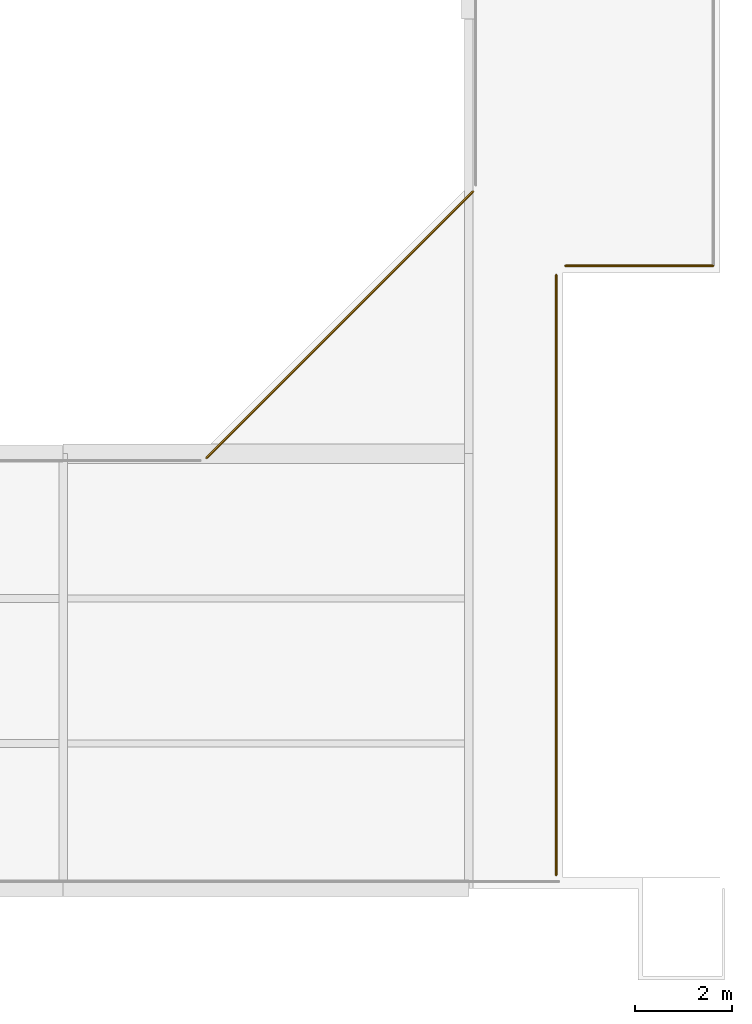
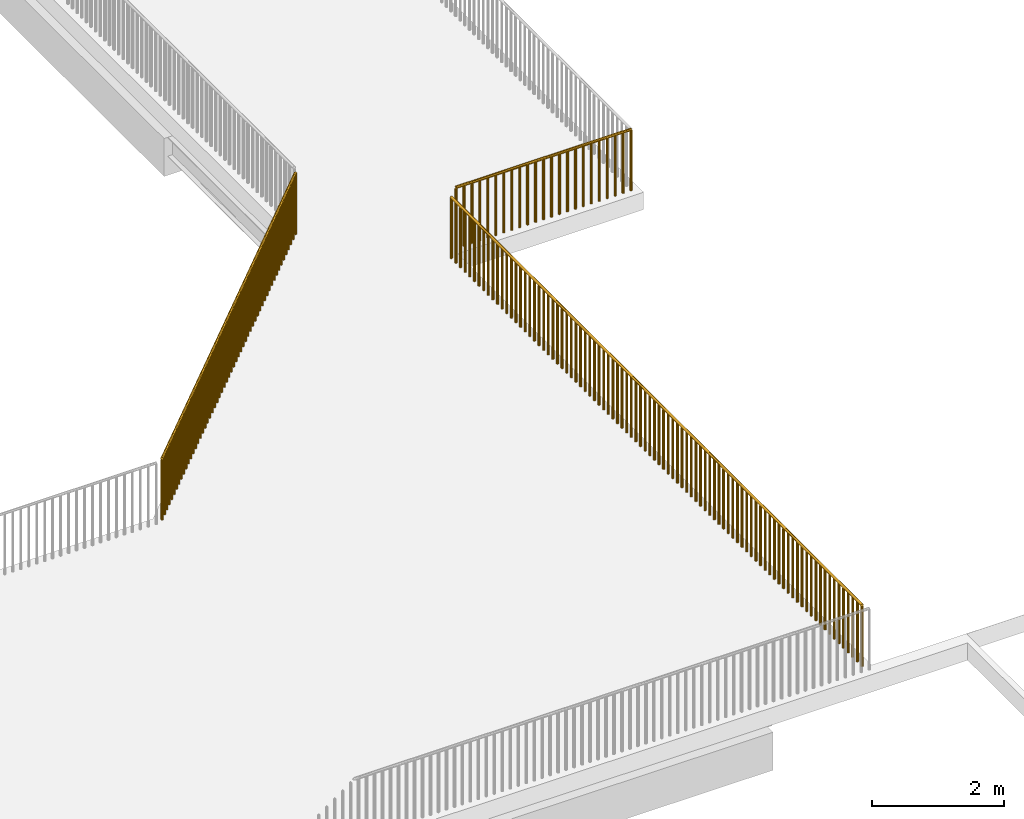
# One storey, part 38 of 42: 3 railings.
"""IFC4 building model written with IfcOpenShell, lengths in metres."""

from ifc_helpers import new_model, si_unit, direction, frame, origin, origin_2d, place, context, subcontext, project, spatial, circle, extrude, material, type_object, element, save


model = new_model("IFC4")

# Units and contexts
model_context = context("Model", 3, precision=1e-05, world=origin(), true_north=direction((0.0, 1.0)))
body_context = subcontext(model_context, "Body", "Model", "MODEL_VIEW")
ifc_project = project(units=[si_unit("LENGTHUNIT", "METRE"), si_unit("AREAUNIT", "SQUARE_METRE"), si_unit("VOLUMEUNIT", "CUBIC_METRE"), si_unit("PLANEANGLEUNIT", "RADIAN"), si_unit("MASSUNIT", "GRAM", prefix="KILO")], contexts=[model_context])

# Site, building, storey
site_placement = place(None, origin())
site = spatial("IfcSite", under=ifc_project, at=site_placement, CompositionType="ELEMENT")
building_placement = place(site_placement, origin())
building = spatial("IfcBuilding", under=site, at=building_placement, Name="Vanh Quang Courtyard School", CompositionType="ELEMENT")
storey_placement = place(building_placement, frame((0.0, 0.0, 15.0)))
storey = spatial("IfcBuildingStorey", under=building, at=storey_placement, Name="L04", CompositionType="ELEMENT", Elevation=15.0)

# Railings
ifc_material = material(Name="Galvanised painted steel EN 10025-2 S355J2", Category="steel")
railing_type = type_object("IfcRailingType", Name="RAIL-GUARD-1150", PredefinedType="BALUSTRADE", material=ifc_material)
railing_1_placement = place(storey_placement, frame((105.569580078125, 41.315673828125, 0.0)))
element("IfcRailing", 1, at=railing_1_placement, inside=storey, type_object=railing_type, Name="Railing GR-01 (L04)", PredefinedType="BALUSTRADE", context=body_context, shape_type="SweptSolid", body=[
    extrude(circle(Radius=0.02392578125, at=origin_2d()), frame((0.0, 0.0, 1.1259765625), z_axis=(0.707122432933, 0.707091129094, 0.0), x_axis=(-0.707091129094, 0.707122432933, 0.0)), (0.0, 0.0, 1.0), 7.799072265625),
    extrude(circle(Radius=0.02099609375, at=origin_2d()), origin(), (0.0, 0.0, 1.0), 1.101806640625),
    extrude(circle(Radius=0.02099609375, at=origin_2d()), frame((0.098388671875, 0.098388671875, 0.0)), (0.0, 0.0, 1.0), 1.101806640625),
    extrude(circle(Radius=0.02099609375, at=origin_2d()), frame((0.197021484375, 0.197021484375, 0.0)), (0.0, 0.0, 1.0), 1.101806640625),
    extrude(circle(Radius=0.02099609375, at=origin_2d()), frame((0.29541015625, 0.29541015625, 0.0)), (0.0, 0.0, 1.0), 1.101806640625),
    extrude(circle(Radius=0.02099609375, at=origin_2d()), frame((0.39404296875, 0.393798828125, 0.0)), (0.0, 0.0, 1.0), 1.101806640625),
    extrude(circle(Radius=0.02099609375, at=origin_2d()), frame((0.492431640625, 0.492431640625, 0.0)), (0.0, 0.0, 1.0), 1.101806640625),
    extrude(circle(Radius=0.02099609375, at=origin_2d()), frame((0.5908203125, 0.5908203125, 0.0)), (0.0, 0.0, 1.0), 1.101806640625),
    extrude(circle(Radius=0.02099609375, at=origin_2d()), frame((0.689453125, 0.689453125, 0.0)), (0.0, 0.0, 1.0), 1.101806640625),
    extrude(circle(Radius=0.02099609375, at=origin_2d()), frame((0.787841796875, 0.787841796875, 0.0)), (0.0, 0.0, 1.0), 1.101806640625),
    extrude(circle(Radius=0.02099609375, at=origin_2d()), frame((0.88623046875, 0.88623046875, 0.0)), (0.0, 0.0, 1.0), 1.101806640625),
    extrude(circle(Radius=0.02099609375, at=origin_2d()), frame((0.98486328125, 0.98486328125, 0.0)), (0.0, 0.0, 1.0), 1.101806640625),
    extrude(circle(Radius=0.02099609375, at=origin_2d()), frame((1.083251953125, 1.083251953125, 0.0)), (0.0, 0.0, 1.0), 1.101806640625),
    extrude(circle(Radius=0.02099609375, at=origin_2d()), frame((1.181640625, 1.181640625, 0.0)), (0.0, 0.0, 1.0), 1.101806640625),
    extrude(circle(Radius=0.02099609375, at=origin_2d()), frame((1.2802734375, 1.2802734375, 0.0)), (0.0, 0.0, 1.0), 1.101806640625),
    extrude(circle(Radius=0.02099609375, at=origin_2d()), frame((1.378662109375, 1.378662109375, 0.0)), (0.0, 0.0, 1.0), 1.101806640625),
    extrude(circle(Radius=0.02099609375, at=origin_2d()), frame((1.477294921875, 1.47705078125, 0.0)), (0.0, 0.0, 1.0), 1.101806640625),
    extrude(circle(Radius=0.02099609375, at=origin_2d()), frame((1.57568359375, 1.57568359375, 0.0)), (0.0, 0.0, 1.0), 1.101806640625),
    extrude(circle(Radius=0.02099609375, at=origin_2d()), frame((1.674072265625, 1.674072265625, 0.0)), (0.0, 0.0, 1.0), 1.101806640625),
    extrude(circle(Radius=0.02099609375, at=origin_2d()), frame((1.772705078125, 1.7724609375, 0.0)), (0.0, 0.0, 1.0), 1.101806640625),
    extrude(circle(Radius=0.02099609375, at=origin_2d()), frame((1.87109375, 1.87109375, 0.0)), (0.0, 0.0, 1.0), 1.101806640625),
    extrude(circle(Radius=0.02099609375, at=origin_2d()), frame((1.9697265625, 1.969482421875, 0.0)), (0.0, 0.0, 1.0), 1.101806640625),
    extrude(circle(Radius=0.02099609375, at=origin_2d()), frame((2.068115234375, 2.06787109375, 0.0)), (0.0, 0.0, 1.0), 1.101806640625),
    extrude(circle(Radius=0.02099609375, at=origin_2d()), frame((2.16650390625, 2.16650390625, 0.0)), (0.0, 0.0, 1.0), 1.101806640625),
    extrude(circle(Radius=0.02099609375, at=origin_2d()), frame((2.26513671875, 2.264892578125, 0.0)), (0.0, 0.0, 1.0), 1.101806640625),
    extrude(circle(Radius=0.02099609375, at=origin_2d()), frame((2.363525390625, 2.363525390625, 0.0)), (0.0, 0.0, 1.0), 1.101806640625),
    extrude(circle(Radius=0.02099609375, at=origin_2d()), frame((2.4619140625, 2.4619140625, 0.0)), (0.0, 0.0, 1.0), 1.101806640625),
    extrude(circle(Radius=0.02099609375, at=origin_2d()), frame((2.560546875, 2.560302734375, 0.0)), (0.0, 0.0, 1.0), 1.101806640625),
    extrude(circle(Radius=0.02099609375, at=origin_2d()), frame((2.658935546875, 2.658935546875, 0.0)), (0.0, 0.0, 1.0), 1.101806640625),
    extrude(circle(Radius=0.02099609375, at=origin_2d()), frame((2.75732421875, 2.75732421875, 0.0)), (0.0, 0.0, 1.0), 1.101806640625),
    extrude(circle(Radius=0.02099609375, at=origin_2d()), frame((2.85595703125, 2.855712890625, 0.0)), (0.0, 0.0, 1.0), 1.101806640625),
    extrude(circle(Radius=0.02099609375, at=origin_2d()), frame((2.954345703125, 2.954345703125, 0.0)), (0.0, 0.0, 1.0), 1.101806640625),
    extrude(circle(Radius=0.02099609375, at=origin_2d()), frame((3.052978515625, 3.052734375, 0.0)), (0.0, 0.0, 1.0), 1.101806640625),
    extrude(circle(Radius=0.02099609375, at=origin_2d()), frame((3.1513671875, 3.151123046875, 0.0)), (0.0, 0.0, 1.0), 1.101806640625),
    extrude(circle(Radius=0.02099609375, at=origin_2d()), frame((3.249755859375, 3.249755859375, 0.0)), (0.0, 0.0, 1.0), 1.101806640625),
    extrude(circle(Radius=0.02099609375, at=origin_2d()), frame((3.348388671875, 3.34814453125, 0.0)), (0.0, 0.0, 1.0), 1.101806640625),
    extrude(circle(Radius=0.02099609375, at=origin_2d()), frame((3.44677734375, 3.44677734375, 0.0)), (0.0, 0.0, 1.0), 1.101806640625),
    extrude(circle(Radius=0.02099609375, at=origin_2d()), frame((3.54541015625, 3.545166015625, 0.0)), (0.0, 0.0, 1.0), 1.101806640625),
    extrude(circle(Radius=0.02099609375, at=origin_2d()), frame((3.643798828125, 3.6435546875, 0.0)), (0.0, 0.0, 1.0), 1.101806640625),
    extrude(circle(Radius=0.02099609375, at=origin_2d()), frame((3.7421875, 3.7421875, 0.0)), (0.0, 0.0, 1.0), 1.101806640625),
    extrude(circle(Radius=0.02099609375, at=origin_2d()), frame((3.8408203125, 3.840576171875, 0.0)), (0.0, 0.0, 1.0), 1.101806640625),
    extrude(circle(Radius=0.02099609375, at=origin_2d()), frame((3.939208984375, 3.93896484375, 0.0)), (0.0, 0.0, 1.0), 1.101806640625),
    extrude(circle(Radius=0.02099609375, at=origin_2d()), frame((4.03759765625, 4.03759765625, 0.0)), (0.0, 0.0, 1.0), 1.101806640625),
    extrude(circle(Radius=0.02099609375, at=origin_2d()), frame((4.13623046875, 4.135986328125, 0.0)), (0.0, 0.0, 1.0), 1.101806640625),
    extrude(circle(Radius=0.02099609375, at=origin_2d()), frame((4.234619140625, 4.234375, 0.0)), (0.0, 0.0, 1.0), 1.101806640625),
    extrude(circle(Radius=0.02099609375, at=origin_2d()), frame((4.3330078125, 4.3330078125, 0.0)), (0.0, 0.0, 1.0), 1.101806640625),
    extrude(circle(Radius=0.02099609375, at=origin_2d()), frame((4.431640625, 4.431396484375, 0.0)), (0.0, 0.0, 1.0), 1.101806640625),
    extrude(circle(Radius=0.02099609375, at=origin_2d()), frame((4.530029296875, 4.52978515625, 0.0)), (0.0, 0.0, 1.0), 1.101806640625),
    extrude(circle(Radius=0.02099609375, at=origin_2d()), frame((4.628662109375, 4.62841796875, 0.0)), (0.0, 0.0, 1.0), 1.101806640625),
    extrude(circle(Radius=0.02099609375, at=origin_2d()), frame((4.72705078125, 4.726806640625, 0.0)), (0.0, 0.0, 1.0), 1.101806640625),
    extrude(circle(Radius=0.02099609375, at=origin_2d()), frame((4.825439453125, 4.8251953125, 0.0)), (0.0, 0.0, 1.0), 1.101806640625),
    extrude(circle(Radius=0.02099609375, at=origin_2d()), frame((4.924072265625, 4.923828125, 0.0)), (0.0, 0.0, 1.0), 1.101806640625),
    extrude(circle(Radius=0.02099609375, at=origin_2d()), frame((5.0224609375, 5.022216796875, 0.0)), (0.0, 0.0, 1.0), 1.101806640625),
    extrude(circle(Radius=0.02099609375, at=origin_2d()), frame((5.12109375, 5.120849609375, 0.0)), (0.0, 0.0, 1.0), 1.101806640625),
    extrude(circle(Radius=0.02099609375, at=origin_2d()), frame((5.219482421875, 5.21923828125, 0.0)), (0.0, 0.0, 1.0), 1.101806640625),
    extrude(circle(Radius=0.02099609375, at=origin_2d()), frame((5.31787109375, 5.317626953125, 0.0)), (0.0, 0.0, 1.0), 1.101806640625),
    extrude(circle(Radius=0.02099609375, at=origin_2d()), frame((5.41650390625, 5.416259765625, 0.0)), (0.0, 0.0, 1.0), 1.101806640625),
    extrude(circle(Radius=0.02099609375, at=origin_2d()), frame((5.514892578125, 5.5146484375, 0.0)), (0.0, 0.0, 1.0), 1.101806640625),
])
railing_2_placement = place(storey_placement, frame((116.06005859375, 45.2900390625, 0.0)))
element("IfcRailing", 2, at=railing_2_placement, inside=storey, type_object=railing_type, Name="Railing GR-01 (L04)", PredefinedType="BALUSTRADE", context=body_context, shape_type="SweptSolid", body=[
    extrude(circle(Radius=0.02392578125, at=origin_2d()), frame((0.0, 0.0, 1.1259765625), z_axis=(-1.0, 0.0, 0.0), x_axis=(0.0, -1.0, 0.0)), (0.0, 0.0, 1.0), 3.06005859375),
    extrude(circle(Radius=0.02099609375, at=origin_2d()), origin(), (0.0, 0.0, 1.0), 1.101806640625),
    extrude(circle(Radius=0.02099609375, at=origin_2d()), frame((-0.13916015625, 0.0, 0.0)), (0.0, 0.0, 1.0), 1.101806640625),
    extrude(circle(Radius=0.02099609375, at=origin_2d()), frame((-0.278076171875, 0.0, 0.0)), (0.0, 0.0, 1.0), 1.101806640625),
    extrude(circle(Radius=0.02099609375, at=origin_2d()), frame((-0.417236328125, 0.0, 0.0)), (0.0, 0.0, 1.0), 1.101806640625),
    extrude(circle(Radius=0.02099609375, at=origin_2d()), frame((-0.556396484375, 0.0, 0.0)), (0.0, 0.0, 1.0), 1.101806640625),
    extrude(circle(Radius=0.02099609375, at=origin_2d()), frame((-0.695556640625, 0.0, 0.0)), (0.0, 0.0, 1.0), 1.101806640625),
    extrude(circle(Radius=0.02099609375, at=origin_2d()), frame((-0.83447265625, 0.0, 0.0)), (0.0, 0.0, 1.0), 1.101806640625),
    extrude(circle(Radius=0.02099609375, at=origin_2d()), frame((-0.9736328125, 0.0, 0.0)), (0.0, 0.0, 1.0), 1.101806640625),
    extrude(circle(Radius=0.02099609375, at=origin_2d()), frame((-1.11279296875, 0.0, 0.0)), (0.0, 0.0, 1.0), 1.101806640625),
    extrude(circle(Radius=0.02099609375, at=origin_2d()), frame((-1.251953125, 0.0, 0.0)), (0.0, 0.0, 1.0), 1.101806640625),
    extrude(circle(Radius=0.02099609375, at=origin_2d()), frame((-1.390869140625, 0.0, 0.0)), (0.0, 0.0, 1.0), 1.101806640625),
    extrude(circle(Radius=0.02099609375, at=origin_2d()), frame((-1.530029296875, 0.0, 0.0)), (0.0, 0.0, 1.0), 1.101806640625),
    extrude(circle(Radius=0.02099609375, at=origin_2d()), frame((-1.669189453125, 0.0, 0.0)), (0.0, 0.0, 1.0), 1.101806640625),
    extrude(circle(Radius=0.02099609375, at=origin_2d()), frame((-1.80810546875, 0.0, 0.0)), (0.0, 0.0, 1.0), 1.101806640625),
    extrude(circle(Radius=0.02099609375, at=origin_2d()), frame((-1.947265625, 0.0, 0.0)), (0.0, 0.0, 1.0), 1.101806640625),
    extrude(circle(Radius=0.02099609375, at=origin_2d()), frame((-2.08642578125, 0.0, 0.0)), (0.0, 0.0, 1.0), 1.101806640625),
    extrude(circle(Radius=0.02099609375, at=origin_2d()), frame((-2.2255859375, 0.0, 0.0)), (0.0, 0.0, 1.0), 1.101806640625),
    extrude(circle(Radius=0.02099609375, at=origin_2d()), frame((-2.364501953125, 0.0, 0.0)), (0.0, 0.0, 1.0), 1.101806640625),
    extrude(circle(Radius=0.02099609375, at=origin_2d()), frame((-2.503662109375, 0.0, 0.0)), (0.0, 0.0, 1.0), 1.101806640625),
    extrude(circle(Radius=0.02099609375, at=origin_2d()), frame((-2.642822265625, 0.0, 0.0)), (0.0, 0.0, 1.0), 1.101806640625),
    extrude(circle(Radius=0.02099609375, at=origin_2d()), frame((-2.781982421875, 0.0, 0.0)), (0.0, 0.0, 1.0), 1.101806640625),
    extrude(circle(Radius=0.02099609375, at=origin_2d()), frame((-2.9208984375, 0.0, 0.0)), (0.0, 0.0, 1.0), 1.101806640625),
    extrude(circle(Radius=0.02099609375, at=origin_2d()), frame((-3.06005859375, 0.0, 0.0)), (0.0, 0.0, 1.0), 1.101806640625),
])
railing_3_placement = place(storey_placement, frame((112.81005859375, 45.10009765625, 0.0)))
element("IfcRailing", 3, at=railing_3_placement, inside=storey, type_object=railing_type, Name="Railing GR-01 (L04)", PredefinedType="BALUSTRADE", context=body_context, shape_type="SweptSolid", body=[
    extrude(circle(Radius=0.02392578125, at=origin_2d()), frame((0.0, 0.0, 1.1259765625), z_axis=(0.0, -1.0, 0.0), x_axis=(1.0, 0.0, 0.0)), (0.0, 0.0, 1.0), 12.43017578125),
    extrude(circle(Radius=0.02099609375, at=origin_2d()), origin(), (0.0, 0.0, 1.0), 1.101806640625),
    extrude(circle(Radius=0.02099609375, at=origin_2d()), frame((0.0, -0.1396484375, 0.0)), (0.0, 0.0, 1.0), 1.101806640625),
    extrude(circle(Radius=0.02099609375, at=origin_2d()), frame((0.0, -0.279296875, 0.0)), (0.0, 0.0, 1.0), 1.101806640625),
    extrude(circle(Radius=0.02099609375, at=origin_2d()), frame((0.0, -0.4189453125, 0.0)), (0.0, 0.0, 1.0), 1.101806640625),
    extrude(circle(Radius=0.02099609375, at=origin_2d()), frame((0.0, -0.55859375, 0.0)), (0.0, 0.0, 1.0), 1.101806640625),
    extrude(circle(Radius=0.02099609375, at=origin_2d()), frame((0.0, -0.6982421875, 0.0)), (0.0, 0.0, 1.0), 1.101806640625),
    extrude(circle(Radius=0.02099609375, at=origin_2d()), frame((0.0, -0.837890625, 0.0)), (0.0, 0.0, 1.0), 1.101806640625),
    extrude(circle(Radius=0.02099609375, at=origin_2d()), frame((0.0, -0.9775390625, 0.0)), (0.0, 0.0, 1.0), 1.101806640625),
    extrude(circle(Radius=0.02099609375, at=origin_2d()), frame((0.0, -1.117431640625, 0.0)), (0.0, 0.0, 1.0), 1.101806640625),
    extrude(circle(Radius=0.02099609375, at=origin_2d()), frame((0.0, -1.257080078125, 0.0)), (0.0, 0.0, 1.0), 1.101806640625),
    extrude(circle(Radius=0.02099609375, at=origin_2d()), frame((0.0, -1.396728515625, 0.0)), (0.0, 0.0, 1.0), 1.101806640625),
    extrude(circle(Radius=0.02099609375, at=origin_2d()), frame((0.0, -1.536376953125, 0.0)), (0.0, 0.0, 1.0), 1.101806640625),
    extrude(circle(Radius=0.02099609375, at=origin_2d()), frame((0.0, -1.676025390625, 0.0)), (0.0, 0.0, 1.0), 1.101806640625),
    extrude(circle(Radius=0.02099609375, at=origin_2d()), frame((0.0, -1.815673828125, 0.0)), (0.0, 0.0, 1.0), 1.101806640625),
    extrude(circle(Radius=0.02099609375, at=origin_2d()), frame((0.0, -1.955322265625, 0.0)), (0.0, 0.0, 1.0), 1.101806640625),
    extrude(circle(Radius=0.02099609375, at=origin_2d()), frame((0.0, -2.094970703125, 0.0)), (0.0, 0.0, 1.0), 1.101806640625),
    extrude(circle(Radius=0.02099609375, at=origin_2d()), frame((0.0, -2.234619140625, 0.0)), (0.0, 0.0, 1.0), 1.101806640625),
    extrude(circle(Radius=0.02099609375, at=origin_2d()), frame((0.0, -2.374267578125, 0.0)), (0.0, 0.0, 1.0), 1.101806640625),
    extrude(circle(Radius=0.02099609375, at=origin_2d()), frame((0.0, -2.513916015625, 0.0)), (0.0, 0.0, 1.0), 1.101806640625),
    extrude(circle(Radius=0.02099609375, at=origin_2d()), frame((0.0, -2.653564453125, 0.0)), (0.0, 0.0, 1.0), 1.101806640625),
    extrude(circle(Radius=0.02099609375, at=origin_2d()), frame((0.0, -2.793212890625, 0.0)), (0.0, 0.0, 1.0), 1.101806640625),
    extrude(circle(Radius=0.02099609375, at=origin_2d()), frame((0.0, -2.932861328125, 0.0)), (0.0, 0.0, 1.0), 1.101806640625),
    extrude(circle(Radius=0.02099609375, at=origin_2d()), frame((0.0, -3.072509765625, 0.0)), (0.0, 0.0, 1.0), 1.101806640625),
    extrude(circle(Radius=0.02099609375, at=origin_2d()), frame((0.0, -3.21240234375, 0.0)), (0.0, 0.0, 1.0), 1.101806640625),
    extrude(circle(Radius=0.02099609375, at=origin_2d()), frame((0.0, -3.35205078125, 0.0)), (0.0, 0.0, 1.0), 1.101806640625),
    extrude(circle(Radius=0.02099609375, at=origin_2d()), frame((0.0, -3.49169921875, 0.0)), (0.0, 0.0, 1.0), 1.101806640625),
    extrude(circle(Radius=0.02099609375, at=origin_2d()), frame((0.0, -3.63134765625, 0.0)), (0.0, 0.0, 1.0), 1.101806640625),
    extrude(circle(Radius=0.02099609375, at=origin_2d()), frame((0.0, -3.77099609375, 0.0)), (0.0, 0.0, 1.0), 1.101806640625),
    extrude(circle(Radius=0.02099609375, at=origin_2d()), frame((0.0, -3.91064453125, 0.0)), (0.0, 0.0, 1.0), 1.101806640625),
    extrude(circle(Radius=0.02099609375, at=origin_2d()), frame((0.0, -4.05029296875, 0.0)), (0.0, 0.0, 1.0), 1.101806640625),
    extrude(circle(Radius=0.02099609375, at=origin_2d()), frame((0.0, -4.18994140625, 0.0)), (0.0, 0.0, 1.0), 1.101806640625),
    extrude(circle(Radius=0.02099609375, at=origin_2d()), frame((0.0, -4.32958984375, 0.0)), (0.0, 0.0, 1.0), 1.101806640625),
    extrude(circle(Radius=0.02099609375, at=origin_2d()), frame((0.0, -4.46923828125, 0.0)), (0.0, 0.0, 1.0), 1.101806640625),
    extrude(circle(Radius=0.02099609375, at=origin_2d()), frame((0.0, -4.60888671875, 0.0)), (0.0, 0.0, 1.0), 1.101806640625),
    extrude(circle(Radius=0.02099609375, at=origin_2d()), frame((0.0, -4.74853515625, 0.0)), (0.0, 0.0, 1.0), 1.101806640625),
    extrude(circle(Radius=0.02099609375, at=origin_2d()), frame((0.0, -4.88818359375, 0.0)), (0.0, 0.0, 1.0), 1.101806640625),
    extrude(circle(Radius=0.02099609375, at=origin_2d()), frame((0.0, -5.02783203125, 0.0)), (0.0, 0.0, 1.0), 1.101806640625),
    extrude(circle(Radius=0.02099609375, at=origin_2d()), frame((0.0, -5.16748046875, 0.0)), (0.0, 0.0, 1.0), 1.101806640625),
    extrude(circle(Radius=0.02099609375, at=origin_2d()), frame((0.0, -5.307373046875, 0.0)), (0.0, 0.0, 1.0), 1.101806640625),
    extrude(circle(Radius=0.02099609375, at=origin_2d()), frame((0.0, -5.447021484375, 0.0)), (0.0, 0.0, 1.0), 1.101806640625),
    extrude(circle(Radius=0.02099609375, at=origin_2d()), frame((0.0, -5.586669921875, 0.0)), (0.0, 0.0, 1.0), 1.101806640625),
    extrude(circle(Radius=0.02099609375, at=origin_2d()), frame((0.0, -5.726318359375, 0.0)), (0.0, 0.0, 1.0), 1.101806640625),
    extrude(circle(Radius=0.02099609375, at=origin_2d()), frame((0.0, -5.865966796875, 0.0)), (0.0, 0.0, 1.0), 1.101806640625),
    extrude(circle(Radius=0.02099609375, at=origin_2d()), frame((0.0, -6.005615234375, 0.0)), (0.0, 0.0, 1.0), 1.101806640625),
    extrude(circle(Radius=0.02099609375, at=origin_2d()), frame((0.0, -6.145263671875, 0.0)), (0.0, 0.0, 1.0), 1.101806640625),
    extrude(circle(Radius=0.02099609375, at=origin_2d()), frame((0.0, -6.284912109375, 0.0)), (0.0, 0.0, 1.0), 1.101806640625),
    extrude(circle(Radius=0.02099609375, at=origin_2d()), frame((0.0, -6.424560546875, 0.0)), (0.0, 0.0, 1.0), 1.101806640625),
    extrude(circle(Radius=0.02099609375, at=origin_2d()), frame((0.0, -6.564208984375, 0.0)), (0.0, 0.0, 1.0), 1.101806640625),
    extrude(circle(Radius=0.02099609375, at=origin_2d()), frame((0.0, -6.703857421875, 0.0)), (0.0, 0.0, 1.0), 1.101806640625),
    extrude(circle(Radius=0.02099609375, at=origin_2d()), frame((0.0, -6.843505859375, 0.0)), (0.0, 0.0, 1.0), 1.101806640625),
    extrude(circle(Radius=0.02099609375, at=origin_2d()), frame((0.0, -6.983154296875, 0.0)), (0.0, 0.0, 1.0), 1.101806640625),
    extrude(circle(Radius=0.02099609375, at=origin_2d()), frame((0.0, -7.122802734375, 0.0)), (0.0, 0.0, 1.0), 1.101806640625),
    extrude(circle(Radius=0.02099609375, at=origin_2d()), frame((0.0, -7.2626953125, 0.0)), (0.0, 0.0, 1.0), 1.101806640625),
    extrude(circle(Radius=0.02099609375, at=origin_2d()), frame((0.0, -7.40234375, 0.0)), (0.0, 0.0, 1.0), 1.101806640625),
    extrude(circle(Radius=0.02099609375, at=origin_2d()), frame((0.0, -7.5419921875, 0.0)), (0.0, 0.0, 1.0), 1.101806640625),
    extrude(circle(Radius=0.02099609375, at=origin_2d()), frame((0.0, -7.681640625, 0.0)), (0.0, 0.0, 1.0), 1.101806640625),
    extrude(circle(Radius=0.02099609375, at=origin_2d()), frame((0.0, -7.8212890625, 0.0)), (0.0, 0.0, 1.0), 1.101806640625),
    extrude(circle(Radius=0.02099609375, at=origin_2d()), frame((0.0, -7.9609375, 0.0)), (0.0, 0.0, 1.0), 1.101806640625),
    extrude(circle(Radius=0.02099609375, at=origin_2d()), frame((0.0, -8.1005859375, 0.0)), (0.0, 0.0, 1.0), 1.101806640625),
    extrude(circle(Radius=0.02099609375, at=origin_2d()), frame((0.0, -8.240234375, 0.0)), (0.0, 0.0, 1.0), 1.101806640625),
    extrude(circle(Radius=0.02099609375, at=origin_2d()), frame((0.0, -8.3798828125, 0.0)), (0.0, 0.0, 1.0), 1.101806640625),
    extrude(circle(Radius=0.02099609375, at=origin_2d()), frame((0.0, -8.51953125, 0.0)), (0.0, 0.0, 1.0), 1.101806640625),
    extrude(circle(Radius=0.02099609375, at=origin_2d()), frame((0.0, -8.6591796875, 0.0)), (0.0, 0.0, 1.0), 1.101806640625),
    extrude(circle(Radius=0.02099609375, at=origin_2d()), frame((0.0, -8.798828125, 0.0)), (0.0, 0.0, 1.0), 1.101806640625),
    extrude(circle(Radius=0.02099609375, at=origin_2d()), frame((0.0, -8.9384765625, 0.0)), (0.0, 0.0, 1.0), 1.101806640625),
    extrude(circle(Radius=0.02099609375, at=origin_2d()), frame((0.0, -9.078125, 0.0)), (0.0, 0.0, 1.0), 1.101806640625),
    extrude(circle(Radius=0.02099609375, at=origin_2d()), frame((0.0, -9.2177734375, 0.0)), (0.0, 0.0, 1.0), 1.101806640625),
    extrude(circle(Radius=0.02099609375, at=origin_2d()), frame((0.0, -9.357666015625, 0.0)), (0.0, 0.0, 1.0), 1.101806640625),
    extrude(circle(Radius=0.02099609375, at=origin_2d()), frame((0.0, -9.497314453125, 0.0)), (0.0, 0.0, 1.0), 1.101806640625),
    extrude(circle(Radius=0.02099609375, at=origin_2d()), frame((0.0, -9.636962890625, 0.0)), (0.0, 0.0, 1.0), 1.101806640625),
    extrude(circle(Radius=0.02099609375, at=origin_2d()), frame((0.0, -9.776611328125, 0.0)), (0.0, 0.0, 1.0), 1.101806640625),
    extrude(circle(Radius=0.02099609375, at=origin_2d()), frame((0.0, -9.916259765625, 0.0)), (0.0, 0.0, 1.0), 1.101806640625),
    extrude(circle(Radius=0.02099609375, at=origin_2d()), frame((0.0, -10.055908203125, 0.0)), (0.0, 0.0, 1.0), 1.101806640625),
    extrude(circle(Radius=0.02099609375, at=origin_2d()), frame((0.0, -10.195556640625, 0.0)), (0.0, 0.0, 1.0), 1.101806640625),
    extrude(circle(Radius=0.02099609375, at=origin_2d()), frame((0.0, -10.335205078125, 0.0)), (0.0, 0.0, 1.0), 1.101806640625),
    extrude(circle(Radius=0.02099609375, at=origin_2d()), frame((0.0, -10.474853515625, 0.0)), (0.0, 0.0, 1.0), 1.101806640625),
    extrude(circle(Radius=0.02099609375, at=origin_2d()), frame((0.0, -10.614501953125, 0.0)), (0.0, 0.0, 1.0), 1.101806640625),
    extrude(circle(Radius=0.02099609375, at=origin_2d()), frame((0.0, -10.754150390625, 0.0)), (0.0, 0.0, 1.0), 1.101806640625),
    extrude(circle(Radius=0.02099609375, at=origin_2d()), frame((0.0, -10.893798828125, 0.0)), (0.0, 0.0, 1.0), 1.101806640625),
    extrude(circle(Radius=0.02099609375, at=origin_2d()), frame((0.0, -11.033447265625, 0.0)), (0.0, 0.0, 1.0), 1.101806640625),
    extrude(circle(Radius=0.02099609375, at=origin_2d()), frame((0.0, -11.173095703125, 0.0)), (0.0, 0.0, 1.0), 1.101806640625),
    extrude(circle(Radius=0.02099609375, at=origin_2d()), frame((0.0, -11.312744140625, 0.0)), (0.0, 0.0, 1.0), 1.101806640625),
    extrude(circle(Radius=0.02099609375, at=origin_2d()), frame((0.0, -11.45263671875, 0.0)), (0.0, 0.0, 1.0), 1.101806640625),
    extrude(circle(Radius=0.02099609375, at=origin_2d()), frame((0.0, -11.59228515625, 0.0)), (0.0, 0.0, 1.0), 1.101806640625),
    extrude(circle(Radius=0.02099609375, at=origin_2d()), frame((0.0, -11.73193359375, 0.0)), (0.0, 0.0, 1.0), 1.101806640625),
    extrude(circle(Radius=0.02099609375, at=origin_2d()), frame((0.0, -11.87158203125, 0.0)), (0.0, 0.0, 1.0), 1.101806640625),
    extrude(circle(Radius=0.02099609375, at=origin_2d()), frame((0.0, -12.01123046875, 0.0)), (0.0, 0.0, 1.0), 1.101806640625),
    extrude(circle(Radius=0.02099609375, at=origin_2d()), frame((0.0, -12.15087890625, 0.0)), (0.0, 0.0, 1.0), 1.101806640625),
    extrude(circle(Radius=0.02099609375, at=origin_2d()), frame((0.0, -12.29052734375, 0.0)), (0.0, 0.0, 1.0), 1.101806640625),
    extrude(circle(Radius=0.02099609375, at=origin_2d()), frame((0.0, -12.43017578125, 0.0)), (0.0, 0.0, 1.0), 1.101806640625),
])

save(model, "model.ifc")
